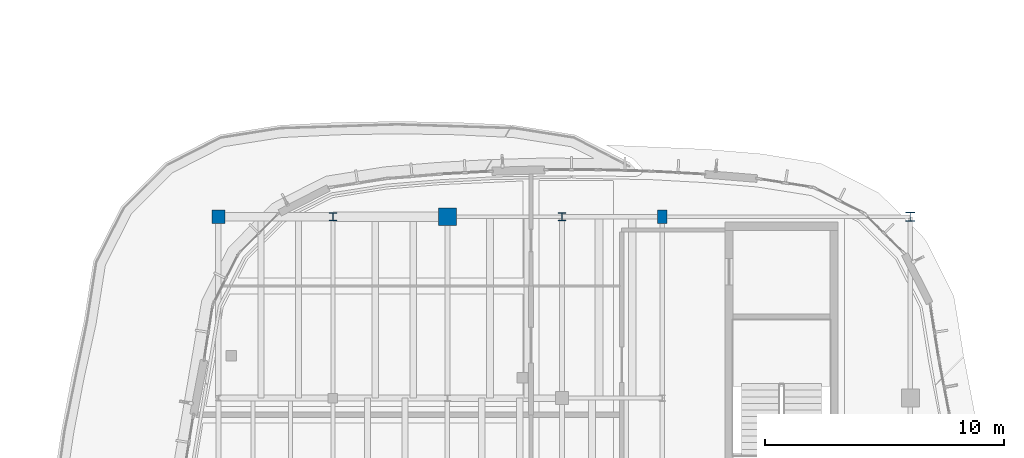
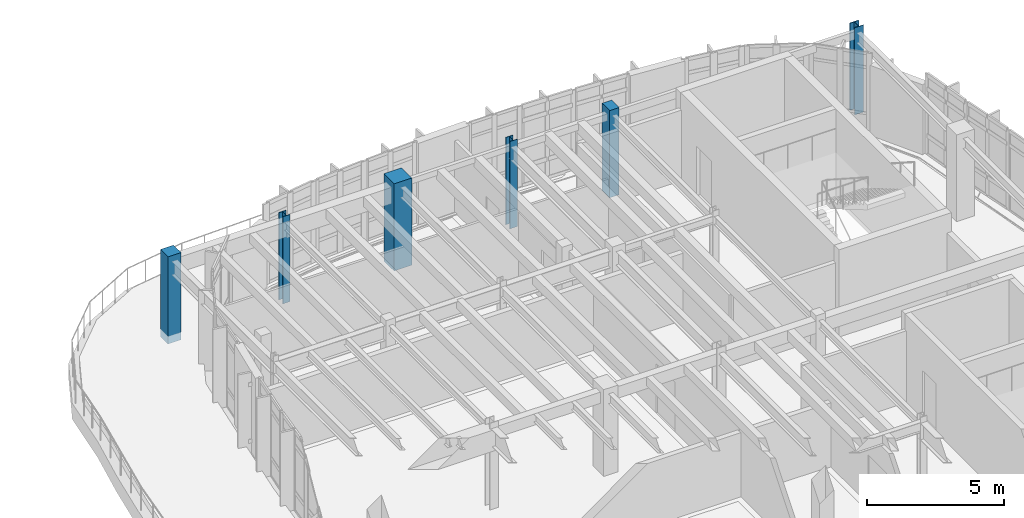
# One storey, part 9 of 105: 6 columns.
"""IFC4 building model written with IfcOpenShell, lengths in metres."""

from ifc_helpers import new_model, si_unit, direction, frame, origin, origin_2d, place, context, subcontext, project, spatial, rectangle, i_section, extrude, material, material_profile, profile_set, type_object, element, save


model = new_model("IFC4")

# Units and contexts
model_context = context("Model", 3, precision=1e-05, world=origin(), true_north=direction((0.0, 1.0)))
body_context = subcontext(model_context, "Body", "Model", "MODEL_VIEW")
ifc_project = project(units=[si_unit("LENGTHUNIT", "METRE"), si_unit("AREAUNIT", "SQUARE_METRE"), si_unit("VOLUMEUNIT", "CUBIC_METRE"), si_unit("PLANEANGLEUNIT", "RADIAN"), si_unit("MASSUNIT", "GRAM", prefix="KILO")], contexts=[model_context])

# Site, building, storey
site_placement = place(None, origin())
site = spatial("IfcSite", under=ifc_project, at=site_placement, CompositionType="ELEMENT")
building_placement = place(site_placement, origin())
building = spatial("IfcBuilding", under=site, at=building_placement, Name="Corveleigh Park Community Centre", CompositionType="ELEMENT")
storey_placement = place(building_placement, frame((0.0, 0.0, 8.699951171875)))
storey = spatial("IfcBuildingStorey", under=building, at=storey_placement, Name="L02", CompositionType="ELEMENT", Elevation=8.699951171875)

# Columns
ifc_material_1 = material(Name="Concrete C40/50", Category="concrete")
ifc_material_profile_1 = material_profile(ifc_material_1, rectangle(XDim=0.39990234375, YDim=0.550048828125, at=origin_2d()), Name="RC-400x550", Category="concrete")
ifc_profile_set_1 = profile_set([ifc_material_profile_1], Name="Concrete C40/50")
column_type_1 = type_object("IfcColumnType", Name="COL-RC-400x550", PredefinedType="COLUMN", material=ifc_profile_set_1)
column_1_placement = place(storey_placement, frame((158.0, 104.199951171875, 0.0), z_axis=(0.0, 0.0, 1.0), x_axis=(1.0, 0.0, 0.0)))
element("IfcColumn", 1, at=column_1_placement, inside=storey, type_object=column_type_1, Name="Column V4-X6Y6 L02", PredefinedType="COLUMN", context=body_context, shape_type="SweptSolid", body=[
    extrude(rectangle(XDim=0.39990234375, YDim=0.550048828125, at=origin_2d()), origin(), (0.0, 0.0, 1.0), 3.900146484375),
])
ifc_material_profile_2 = material_profile(ifc_material_1, rectangle(XDim=0.550048828125, YDim=0.550048828125, at=origin_2d()), Name="RC-550x550", Category="concrete")
ifc_profile_set_2 = profile_set([ifc_material_profile_2], Name="Concrete C40/50")
column_type_2 = type_object("IfcColumnType", Name="COL-RC-550x550", PredefinedType="COLUMN", material=ifc_profile_set_2)
column_2_placement = place(storey_placement, frame((139.39990234375, 104.199951171875, 0.0), z_axis=(0.0, 0.0, 1.0), x_axis=(1.0, 0.0, 0.0)))
element("IfcColumn", 2, at=column_2_placement, inside=storey, type_object=column_type_2, Name="Column V4-X2Y6 L02", PredefinedType="COLUMN", context=body_context, shape_type="SweptSolid", body=[
    extrude(rectangle(XDim=0.550048828125, YDim=0.550048828125, at=origin_2d()), origin(), (0.0, 0.0, 1.0), 3.900146484375),
])
ifc_material_profile_3 = material_profile(ifc_material_1, rectangle(XDim=0.75, YDim=0.75, at=origin_2d()), Name="RC-750x750", Category="concrete")
ifc_profile_set_3 = profile_set([ifc_material_profile_3], Name="Concrete C40/50")
column_type_3 = type_object("IfcColumnType", Name="COL-RC-750x750", PredefinedType="COLUMN", material=ifc_profile_set_3)
column_3_placement = place(storey_placement, frame((149.0, 104.199951171875, 0.0), z_axis=(0.0, 0.0, 1.0), x_axis=(1.0, 0.0, 0.0)))
element("IfcColumn", 3, at=column_3_placement, inside=storey, type_object=column_type_3, Name="Column V4-X4Y6 L02", PredefinedType="COLUMN", context=body_context, shape_type="SweptSolid", body=[
    extrude(rectangle(XDim=0.75, YDim=0.75, at=origin_2d()), origin(), (0.0, 0.0, 1.0), 3.900146484375),
])
ifc_material_2 = material(Name="Steel S355", Category="steel")
ifc_material_profile_4 = material_profile(ifc_material_2, i_section(OverallWidth=0.30908203125, OverallDepth=0.320556640625, WebThickness=0.013916015625, FlangeThickness=0.021728515625, at=origin_2d()), Name="UKC 305x305x137", Category="steel")
ifc_profile_set_4 = profile_set([ifc_material_profile_4], Name="Steel S355")
column_type_4 = type_object("IfcColumnType", Name="COL-STL-UKC305x137", PredefinedType="COLUMN", material=ifc_profile_set_4)
column_4_placement = place(storey_placement, frame((144.199951171875, 104.199951171875, 0.0), z_axis=(0.0, 0.0, 1.0), x_axis=(1.0, 0.0, 0.0)))
element("IfcColumn", 4, at=column_4_placement, inside=storey, type_object=column_type_4, Name="Column V4-X3Y6 L02", PredefinedType="COLUMN", context=body_context, shape_type="SweptSolid", body=[
    extrude(i_section(OverallWidth=0.30908203125, OverallDepth=0.320556640625, WebThickness=0.013916015625, FlangeThickness=0.021728515625, at=origin_2d()), origin(), (0.0, 0.0, 1.0), 3.900146484375),
])
ifc_material_profile_5 = material_profile(ifc_material_2, i_section(OverallWidth=0.311279296875, OverallDepth=0.3271484375, WebThickness=0.015869140625, FlangeThickness=0.02490234375, at=origin_2d()), Name="UKC 305x305x158", Category="steel")
ifc_profile_set_5 = profile_set([ifc_material_profile_5], Name="Steel S355")
column_type_5 = type_object("IfcColumnType", Name="COL-STL-UKC305x158", PredefinedType="COLUMN", material=ifc_profile_set_5)
column_5_placement = place(storey_placement, frame((153.800048828125, 104.199951171875, 0.0), z_axis=(0.0, 0.0, 1.0), x_axis=(1.0, 0.0, 0.0)))
element("IfcColumn", 5, at=column_5_placement, inside=storey, type_object=column_type_5, Name="Column V4-X5Y6 L02", PredefinedType="COLUMN", context=body_context, shape_type="SweptSolid", body=[
    extrude(i_section(OverallWidth=0.311279296875, OverallDepth=0.3271484375, WebThickness=0.015869140625, FlangeThickness=0.02490234375, at=origin_2d()), origin(), (0.0, 0.0, 1.0), 3.900146484375),
])
ifc_material_profile_6 = material_profile(ifc_material_2, i_section(OverallWidth=0.37060546875, OverallDepth=0.362060546875, WebThickness=0.01220703125, FlangeThickness=0.020751953125, at=origin_2d()), Name="UKC 356x368x153", Category="steel")
ifc_profile_set_6 = profile_set([ifc_material_profile_6], Name="Steel S355")
column_type_6 = type_object("IfcColumnType", Name="COL-STL-UKC356x153", PredefinedType="COLUMN", material=ifc_profile_set_6)
column_6_placement = place(storey_placement, frame((168.39990234375, 104.199951171875, 0.0), z_axis=(0.0, 0.0, 1.0), x_axis=(1.0, 0.0, 0.0)))
element("IfcColumn", 6, at=column_6_placement, inside=storey, type_object=column_type_6, Name="Column V4-X7Y6 L02", PredefinedType="COLUMN", context=body_context, shape_type="SweptSolid", body=[
    extrude(i_section(OverallWidth=0.37060546875, OverallDepth=0.362060546875, WebThickness=0.01220703125, FlangeThickness=0.020751953125, at=origin_2d()), origin(), (0.0, 0.0, 1.0), 3.900146484375),
])

save(model, "model.ifc")
